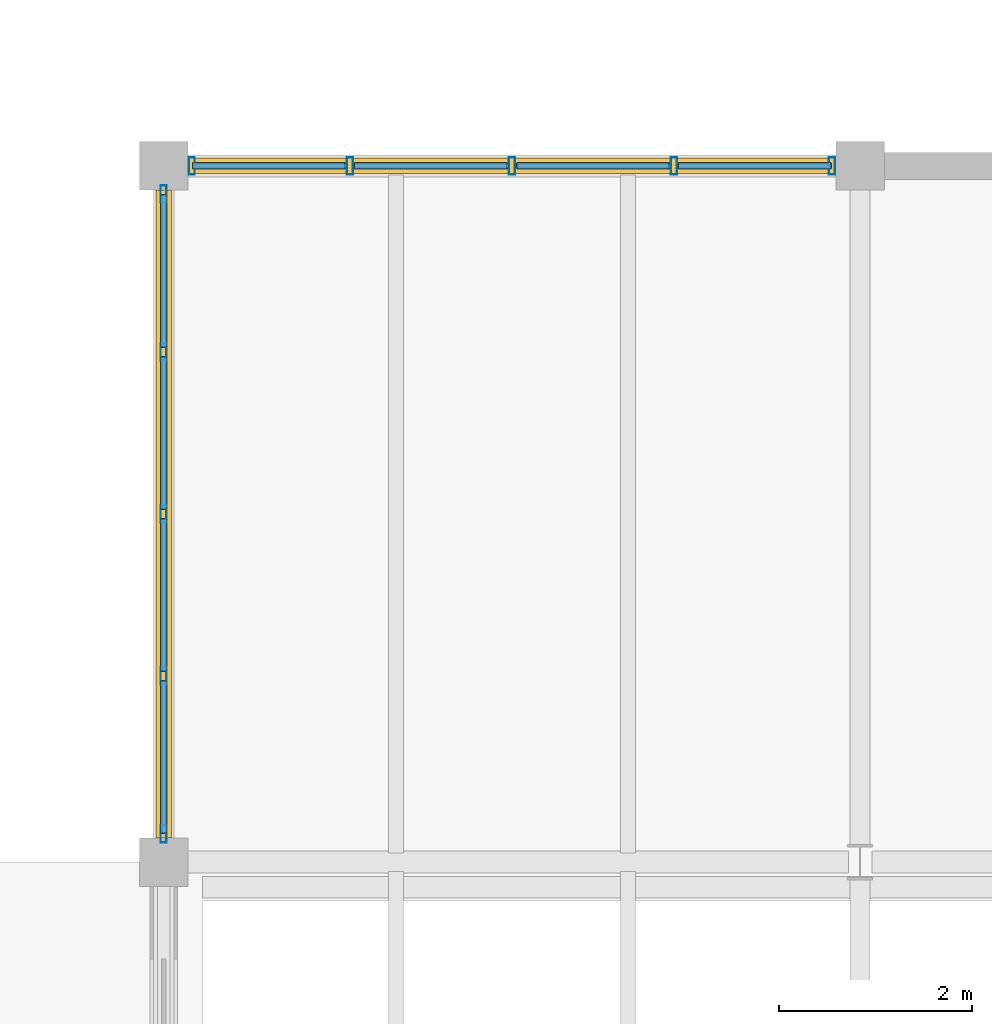
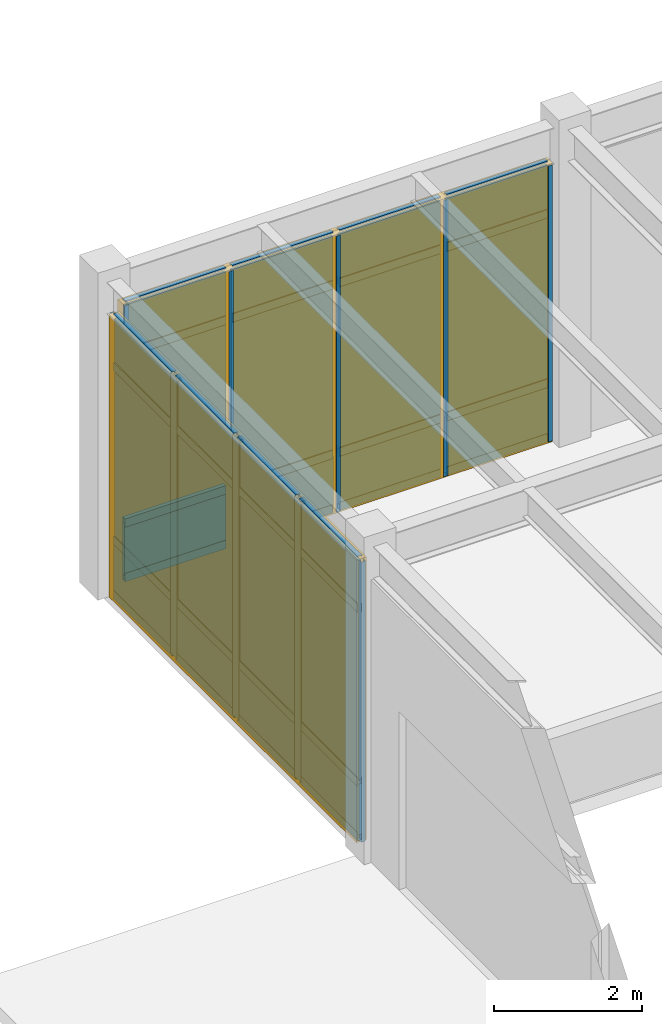
# One storey, part 67 of 97: 42 members, 16 plates, 2 curtain walls.
"""IFC4 building model written with IfcOpenShell, lengths in metres."""

from ifc_helpers import new_model, si_unit, direction, frame, origin, origin_2d, place, context, subcontext, project, spatial, rectangle, hollow_rectangle, extrude, material, layer, layer_set, material_profile, profile_set, type_object, element, aggregate, save


model = new_model("IFC4")

# Units and contexts
model_context = context("Model", 3, precision=1e-05, world=origin(), true_north=direction((0.0, 1.0)))
body_context = subcontext(model_context, "Body", "Model", "MODEL_VIEW")
ifc_project = project(units=[si_unit("LENGTHUNIT", "METRE"), si_unit("AREAUNIT", "SQUARE_METRE"), si_unit("VOLUMEUNIT", "CUBIC_METRE"), si_unit("PLANEANGLEUNIT", "RADIAN"), si_unit("MASSUNIT", "GRAM", prefix="KILO")], contexts=[model_context])

# Member
ifc_material_1 = material(Name="Anodized Aluminium 6063-T6", Category="aluminium")
ifc_material_profile_1 = material_profile(ifc_material_1, hollow_rectangle(XDim=0.06494140625, YDim=0.179931640625, WallThickness=0.00390625, at=origin_2d()), Name="ALU 65x180x4")
ifc_profile_set_1 = profile_set([ifc_material_profile_1], Name="Anodized Aluminium 6063-T6")
member_type_1 = type_object("IfcMemberType", Name="CWM-65X150", PredefinedType="MULLION", material=ifc_profile_set_1)
site_placement = place(None, origin())
building_placement = place(site_placement, origin())
storey_placement = place(building_placement, origin())
member_1_placement = place(storey_placement, frame((7.489990234375, 115.199951171875, 0.02001953125), z_axis=(0.0, 0.0, 1.0), x_axis=(1.0, 0.0, 0.0)))
member_1 = element("IfcMember", 1, at=member_1_placement, type_object=member_type_1, Name="Curtain wall mullion CW-L01-01-15-N-00", PredefinedType="MULLION", context=body_context, shape_type="SweptSolid", body=[
    extrude(hollow_rectangle(XDim=0.06494140625, YDim=0.179931640625, WallThickness=0.00390625, at=origin_2d()), origin(), (0.0, 0.0, 1.0), 4.557861328125),
])

member_2_placement = place(storey_placement, frame((9.125, 115.199951171875, 0.02001953125), z_axis=(0.0, 0.0, 1.0), x_axis=(1.0, 0.0, 0.0)))
member_2 = element("IfcMember", 2, at=member_2_placement, type_object=member_type_1, Name="Curtain wall mullion CW-L01-01-15-N-01", PredefinedType="MULLION", context=body_context, shape_type="SweptSolid", body=[
    extrude(hollow_rectangle(XDim=0.06494140625, YDim=0.179931640625, WallThickness=0.00390625, at=origin_2d()), origin(), (0.0, 0.0, 1.0), 4.557861328125),
])

member_3_placement = place(storey_placement, frame((10.800048828125, 115.199951171875, 0.02001953125), z_axis=(0.0, 0.0, 1.0), x_axis=(1.0, 0.0, 0.0)))
member_3 = element("IfcMember", 3, at=member_3_placement, type_object=member_type_1, Name="Curtain wall mullion CW-L01-01-15-N-02", PredefinedType="MULLION", context=body_context, shape_type="SweptSolid", body=[
    extrude(hollow_rectangle(XDim=0.06494140625, YDim=0.179931640625, WallThickness=0.00390625, at=origin_2d()), origin(), (0.0, 0.0, 1.0), 4.557861328125),
])

member_4_placement = place(storey_placement, frame((12.47509765625, 115.199951171875, 0.02001953125), z_axis=(0.0, 0.0, 1.0), x_axis=(1.0, 0.0, 0.0)))
member_4 = element("IfcMember", 4, at=member_4_placement, type_object=member_type_1, Name="Curtain wall mullion CW-L01-01-15-N-03", PredefinedType="MULLION", context=body_context, shape_type="SweptSolid", body=[
    extrude(hollow_rectangle(XDim=0.06494140625, YDim=0.179931640625, WallThickness=0.00390625, at=origin_2d()), origin(), (0.0, 0.0, 1.0), 4.557861328125),
])

member_5_placement = place(storey_placement, frame((14.110107421875, 115.199951171875, 0.02001953125), z_axis=(0.0, 0.0, 1.0), x_axis=(1.0, 0.0, 0.0)))
member_5 = element("IfcMember", 5, at=member_5_placement, type_object=member_type_1, Name="Curtain wall mullion CW-L01-01-15-N-04", PredefinedType="MULLION", context=body_context, shape_type="SweptSolid", body=[
    extrude(hollow_rectangle(XDim=0.06494140625, YDim=0.179931640625, WallThickness=0.00390625, at=origin_2d()), origin(), (0.0, 0.0, 1.0), 4.557861328125),
])

member_6_placement = place(storey_placement, frame((7.199951171875, 108.2900390625, 0.02001953125), z_axis=(0.0, 0.0, 1.0), x_axis=(1.0, 0.0, 0.0)))
member_6 = element("IfcMember", 6, at=member_6_placement, type_object=member_type_1, Name="Curtain wall mullion CW-L01-01-15-W-00", PredefinedType="MULLION", context=body_context, shape_type="SweptSolid", body=[
    extrude(hollow_rectangle(XDim=0.06494140625, YDim=0.179931640625, WallThickness=0.00390625, at=origin_2d()), origin(), (0.0, 0.0, 1.0), 4.626953125),
])

member_7_placement = place(storey_placement, frame((7.199951171875, 109.925048828125, 0.02001953125), z_axis=(0.0, 0.0, 1.0), x_axis=(1.0, 0.0, 0.0)))
member_7 = element("IfcMember", 7, at=member_7_placement, type_object=member_type_1, Name="Curtain wall mullion CW-L01-01-15-W-01", PredefinedType="MULLION", context=body_context, shape_type="SweptSolid", body=[
    extrude(hollow_rectangle(XDim=0.06494140625, YDim=0.179931640625, WallThickness=0.00390625, at=origin_2d()), origin(), (0.0, 0.0, 1.0), 4.626953125),
])

member_8_placement = place(storey_placement, frame((7.199951171875, 111.60009765625, 0.02001953125), z_axis=(0.0, 0.0, 1.0), x_axis=(1.0, 0.0, 0.0)))
member_8 = element("IfcMember", 8, at=member_8_placement, type_object=member_type_1, Name="Curtain wall mullion CW-L01-01-15-W-02", PredefinedType="MULLION", context=body_context, shape_type="SweptSolid", body=[
    extrude(hollow_rectangle(XDim=0.06494140625, YDim=0.179931640625, WallThickness=0.00390625, at=origin_2d()), origin(), (0.0, 0.0, 1.0), 4.626953125),
])

member_9_placement = place(storey_placement, frame((7.199951171875, 113.27490234375, 0.02001953125), z_axis=(0.0, 0.0, 1.0), x_axis=(1.0, 0.0, 0.0)))
member_9 = element("IfcMember", 9, at=member_9_placement, type_object=member_type_1, Name="Curtain wall mullion CW-L01-01-15-W-03", PredefinedType="MULLION", context=body_context, shape_type="SweptSolid", body=[
    extrude(hollow_rectangle(XDim=0.06494140625, YDim=0.179931640625, WallThickness=0.00390625, at=origin_2d()), origin(), (0.0, 0.0, 1.0), 4.626953125),
])

member_10_placement = place(storey_placement, frame((7.199951171875, 114.909912109375, 0.02001953125), z_axis=(0.0, 0.0, 1.0), x_axis=(1.0, 0.0, 0.0)))
member_10 = element("IfcMember", 10, at=member_10_placement, type_object=member_type_1, Name="Curtain wall mullion CW-L01-01-15-W-04", PredefinedType="MULLION", context=body_context, shape_type="SweptSolid", body=[
    extrude(hollow_rectangle(XDim=0.06494140625, YDim=0.179931640625, WallThickness=0.00390625, at=origin_2d()), origin(), (0.0, 0.0, 1.0), 4.626953125),
])

ifc_material_profile_2 = material_profile(ifc_material_1, hollow_rectangle(XDim=0.06494140625, YDim=0.139892578125, WallThickness=0.00390625, at=origin_2d()), Name="ALU 65x140x4")
ifc_profile_set_2 = profile_set([ifc_material_profile_2], Name="Anodized Aluminium 6063-T6")
member_type_2 = type_object("IfcMemberType", Name="CWT-65X120", PredefinedType="USERDEFINED", material=ifc_profile_set_2)
member_11_placement = place(storey_placement, frame((7.5, 115.199951171875, 0.050048828125), z_axis=(1.0, 0.0, 0.0), x_axis=(0.0, 1.0, 0.0)))
member_11 = element("IfcMember", 11, at=member_11_placement, type_object=member_type_2, Name="Curtain wall transom CW-L01-01-15-N-1.01", ObjectType="TRANSOM", PredefinedType="USERDEFINED", context=body_context, shape_type="SweptSolid", body=[
    extrude(hollow_rectangle(XDim=0.06494140625, YDim=0.139892578125, WallThickness=0.00390625, at=origin_2d()), origin(), (0.0, 0.0, 1.0), 1.574951171875),
])

member_12_placement = place(storey_placement, frame((9.175048828125, 115.199951171875, 0.050048828125), z_axis=(1.0, 0.0, 0.0), x_axis=(0.0, 1.0, 0.0)))
member_12 = element("IfcMember", 12, at=member_12_placement, type_object=member_type_2, Name="Curtain wall transom CW-L01-01-15-N-1.02", ObjectType="TRANSOM", PredefinedType="USERDEFINED", context=body_context, shape_type="SweptSolid", body=[
    extrude(hollow_rectangle(XDim=0.06494140625, YDim=0.139892578125, WallThickness=0.00390625, at=origin_2d()), origin(), (0.0, 0.0, 1.0), 1.574951171875),
])

member_13_placement = place(storey_placement, frame((10.85009765625, 115.199951171875, 0.050048828125), z_axis=(1.0, 0.0, 0.0), x_axis=(0.0, 1.0, 0.0)))
member_13 = element("IfcMember", 13, at=member_13_placement, type_object=member_type_2, Name="Curtain wall transom CW-L01-01-15-N-1.03", ObjectType="TRANSOM", PredefinedType="USERDEFINED", context=body_context, shape_type="SweptSolid", body=[
    extrude(hollow_rectangle(XDim=0.06494140625, YDim=0.139892578125, WallThickness=0.00390625, at=origin_2d()), origin(), (0.0, 0.0, 1.0), 1.574951171875),
])

member_14_placement = place(storey_placement, frame((12.52490234375, 115.199951171875, 0.050048828125), z_axis=(1.0, 0.0, 0.0), x_axis=(0.0, 1.0, 0.0)))
member_14 = element("IfcMember", 14, at=member_14_placement, type_object=member_type_2, Name="Curtain wall transom CW-L01-01-15-N-1.04", ObjectType="TRANSOM", PredefinedType="USERDEFINED", context=body_context, shape_type="SweptSolid", body=[
    extrude(hollow_rectangle(XDim=0.06494140625, YDim=0.139892578125, WallThickness=0.00390625, at=origin_2d()), origin(), (0.0, 0.0, 1.0), 1.5751953125),
])

member_15_placement = place(storey_placement, frame((7.5, 115.199951171875, 0.949951171875), z_axis=(1.0, 0.0, 0.0), x_axis=(0.0, 1.0, 0.0)))
member_15 = element("IfcMember", 15, at=member_15_placement, type_object=member_type_2, Name="Curtain wall transom CW-L01-01-15-N-2.01", ObjectType="TRANSOM", PredefinedType="USERDEFINED", context=body_context, shape_type="SweptSolid", body=[
    extrude(hollow_rectangle(XDim=0.06494140625, YDim=0.139892578125, WallThickness=0.00390625, at=origin_2d()), origin(), (0.0, 0.0, 1.0), 1.574951171875),
])

member_16_placement = place(storey_placement, frame((9.175048828125, 115.199951171875, 0.949951171875), z_axis=(1.0, 0.0, 0.0), x_axis=(0.0, 1.0, 0.0)))
member_16 = element("IfcMember", 16, at=member_16_placement, type_object=member_type_2, Name="Curtain wall transom CW-L01-01-15-N-2.02", ObjectType="TRANSOM", PredefinedType="USERDEFINED", context=body_context, shape_type="SweptSolid", body=[
    extrude(hollow_rectangle(XDim=0.06494140625, YDim=0.139892578125, WallThickness=0.00390625, at=origin_2d()), origin(), (0.0, 0.0, 1.0), 1.574951171875),
])

member_17_placement = place(storey_placement, frame((10.85009765625, 115.199951171875, 0.949951171875), z_axis=(1.0, 0.0, 0.0), x_axis=(0.0, 1.0, 0.0)))
member_17 = element("IfcMember", 17, at=member_17_placement, type_object=member_type_2, Name="Curtain wall transom CW-L01-01-15-N-2.03", ObjectType="TRANSOM", PredefinedType="USERDEFINED", context=body_context, shape_type="SweptSolid", body=[
    extrude(hollow_rectangle(XDim=0.06494140625, YDim=0.139892578125, WallThickness=0.00390625, at=origin_2d()), origin(), (0.0, 0.0, 1.0), 1.574951171875),
])

member_18_placement = place(storey_placement, frame((12.52490234375, 115.199951171875, 0.949951171875), z_axis=(1.0, 0.0, 0.0), x_axis=(0.0, 1.0, 0.0)))
member_18 = element("IfcMember", 18, at=member_18_placement, type_object=member_type_2, Name="Curtain wall transom CW-L01-01-15-N-2.04", ObjectType="TRANSOM", PredefinedType="USERDEFINED", context=body_context, shape_type="SweptSolid", body=[
    extrude(hollow_rectangle(XDim=0.06494140625, YDim=0.139892578125, WallThickness=0.00390625, at=origin_2d()), origin(), (0.0, 0.0, 1.0), 1.5751953125),
])

member_19_placement = place(storey_placement, frame((7.5, 115.199951171875, 3.748046875), z_axis=(1.0, 0.0, 0.0), x_axis=(0.0, 1.0, 0.0)))
member_19 = element("IfcMember", 19, at=member_19_placement, type_object=member_type_2, Name="Curtain wall transom CW-L01-01-15-N-3.01", ObjectType="TRANSOM", PredefinedType="USERDEFINED", context=body_context, shape_type="SweptSolid", body=[
    extrude(hollow_rectangle(XDim=0.06494140625, YDim=0.139892578125, WallThickness=0.00390625, at=origin_2d()), origin(), (0.0, 0.0, 1.0), 1.574951171875),
])

member_20_placement = place(storey_placement, frame((9.175048828125, 115.199951171875, 3.748046875), z_axis=(1.0, 0.0, 0.0), x_axis=(0.0, 1.0, 0.0)))
member_20 = element("IfcMember", 20, at=member_20_placement, type_object=member_type_2, Name="Curtain wall transom CW-L01-01-15-N-3.02", ObjectType="TRANSOM", PredefinedType="USERDEFINED", context=body_context, shape_type="SweptSolid", body=[
    extrude(hollow_rectangle(XDim=0.06494140625, YDim=0.139892578125, WallThickness=0.00390625, at=origin_2d()), origin(), (0.0, 0.0, 1.0), 1.574951171875),
])

member_21_placement = place(storey_placement, frame((10.85009765625, 115.199951171875, 3.748046875), z_axis=(1.0, 0.0, 0.0), x_axis=(0.0, 1.0, 0.0)))
member_21 = element("IfcMember", 21, at=member_21_placement, type_object=member_type_2, Name="Curtain wall transom CW-L01-01-15-N-3.03", ObjectType="TRANSOM", PredefinedType="USERDEFINED", context=body_context, shape_type="SweptSolid", body=[
    extrude(hollow_rectangle(XDim=0.06494140625, YDim=0.139892578125, WallThickness=0.00390625, at=origin_2d()), origin(), (0.0, 0.0, 1.0), 1.574951171875),
])

member_22_placement = place(storey_placement, frame((12.52490234375, 115.199951171875, 3.748046875), z_axis=(1.0, 0.0, 0.0), x_axis=(0.0, 1.0, 0.0)))
member_22 = element("IfcMember", 22, at=member_22_placement, type_object=member_type_2, Name="Curtain wall transom CW-L01-01-15-N-3.04", ObjectType="TRANSOM", PredefinedType="USERDEFINED", context=body_context, shape_type="SweptSolid", body=[
    extrude(hollow_rectangle(XDim=0.06494140625, YDim=0.139892578125, WallThickness=0.00390625, at=origin_2d()), origin(), (0.0, 0.0, 1.0), 1.5751953125),
])

member_23_placement = place(storey_placement, frame((7.5, 115.199951171875, 4.548095703125), z_axis=(1.0, 0.0, 0.0), x_axis=(0.0, 1.0, 0.0)))
member_23 = element("IfcMember", 23, at=member_23_placement, type_object=member_type_2, Name="Curtain wall transom CW-L01-01-15-N-4.01", ObjectType="TRANSOM", PredefinedType="USERDEFINED", context=body_context, shape_type="SweptSolid", body=[
    extrude(hollow_rectangle(XDim=0.06494140625, YDim=0.139892578125, WallThickness=0.00390625, at=origin_2d()), origin(), (0.0, 0.0, 1.0), 1.574951171875),
])

member_24_placement = place(storey_placement, frame((9.175048828125, 115.199951171875, 4.548095703125), z_axis=(1.0, 0.0, 0.0), x_axis=(0.0, 1.0, 0.0)))
member_24 = element("IfcMember", 24, at=member_24_placement, type_object=member_type_2, Name="Curtain wall transom CW-L01-01-15-N-4.02", ObjectType="TRANSOM", PredefinedType="USERDEFINED", context=body_context, shape_type="SweptSolid", body=[
    extrude(hollow_rectangle(XDim=0.06494140625, YDim=0.139892578125, WallThickness=0.00390625, at=origin_2d()), origin(), (0.0, 0.0, 1.0), 1.574951171875),
])

member_25_placement = place(storey_placement, frame((10.85009765625, 115.199951171875, 4.548095703125), z_axis=(1.0, 0.0, 0.0), x_axis=(0.0, 1.0, 0.0)))
member_25 = element("IfcMember", 25, at=member_25_placement, type_object=member_type_2, Name="Curtain wall transom CW-L01-01-15-N-4.03", ObjectType="TRANSOM", PredefinedType="USERDEFINED", context=body_context, shape_type="SweptSolid", body=[
    extrude(hollow_rectangle(XDim=0.06494140625, YDim=0.139892578125, WallThickness=0.00390625, at=origin_2d()), origin(), (0.0, 0.0, 1.0), 1.574951171875),
])

member_26_placement = place(storey_placement, frame((12.52490234375, 115.199951171875, 4.548095703125), z_axis=(1.0, 0.0, 0.0), x_axis=(0.0, 1.0, 0.0)))
member_26 = element("IfcMember", 26, at=member_26_placement, type_object=member_type_2, Name="Curtain wall transom CW-L01-01-15-N-4.04", ObjectType="TRANSOM", PredefinedType="USERDEFINED", context=body_context, shape_type="SweptSolid", body=[
    extrude(hollow_rectangle(XDim=0.06494140625, YDim=0.139892578125, WallThickness=0.00390625, at=origin_2d()), origin(), (0.0, 0.0, 1.0), 1.5751953125),
])

member_27_placement = place(storey_placement, frame((7.199951171875, 108.300048828125, 0.050048828125), z_axis=(0.0, 1.0, 0.0), x_axis=(-1.0, 0.0, 0.0)))
member_27 = element("IfcMember", 27, at=member_27_placement, type_object=member_type_2, Name="Curtain wall transom CW-L01-01-15-W-1.01", ObjectType="TRANSOM", PredefinedType="USERDEFINED", context=body_context, shape_type="SweptSolid", body=[
    extrude(hollow_rectangle(XDim=0.06494140625, YDim=0.139892578125, WallThickness=0.00390625, at=origin_2d()), origin(), (0.0, 0.0, 1.0), 1.574951171875),
])

member_28_placement = place(storey_placement, frame((7.199951171875, 109.97509765625, 0.050048828125), z_axis=(0.0, 1.0, 0.0), x_axis=(-1.0, 0.0, 0.0)))
member_28 = element("IfcMember", 28, at=member_28_placement, type_object=member_type_2, Name="Curtain wall transom CW-L01-01-15-W-1.02", ObjectType="TRANSOM", PredefinedType="USERDEFINED", context=body_context, shape_type="SweptSolid", body=[
    extrude(hollow_rectangle(XDim=0.06494140625, YDim=0.139892578125, WallThickness=0.00390625, at=origin_2d()), origin(), (0.0, 0.0, 1.0), 1.574951171875),
])

member_29_placement = place(storey_placement, frame((7.199951171875, 111.64990234375, 0.050048828125), z_axis=(0.0, 1.0, 0.0), x_axis=(-1.0, 0.0, 0.0)))
member_29 = element("IfcMember", 29, at=member_29_placement, type_object=member_type_2, Name="Curtain wall transom CW-L01-01-15-W-1.03", ObjectType="TRANSOM", PredefinedType="USERDEFINED", context=body_context, shape_type="SweptSolid", body=[
    extrude(hollow_rectangle(XDim=0.06494140625, YDim=0.139892578125, WallThickness=0.00390625, at=origin_2d()), origin(), (0.0, 0.0, 1.0), 1.5751953125),
])

member_30_placement = place(storey_placement, frame((7.199951171875, 113.324951171875, 0.050048828125), z_axis=(0.0, 1.0, 0.0), x_axis=(-1.0, 0.0, 0.0)))
member_30 = element("IfcMember", 30, at=member_30_placement, type_object=member_type_2, Name="Curtain wall transom CW-L01-01-15-W-1.04", ObjectType="TRANSOM", PredefinedType="USERDEFINED", context=body_context, shape_type="SweptSolid", body=[
    extrude(hollow_rectangle(XDim=0.06494140625, YDim=0.139892578125, WallThickness=0.00390625, at=origin_2d()), origin(), (0.0, 0.0, 1.0), 1.574951171875),
])

member_31_placement = place(storey_placement, frame((7.199951171875, 108.300048828125, 0.949951171875), z_axis=(0.0, 1.0, 0.0), x_axis=(-1.0, 0.0, 0.0)))
member_31 = element("IfcMember", 31, at=member_31_placement, type_object=member_type_2, Name="Curtain wall transom CW-L01-01-15-W-2.01", ObjectType="TRANSOM", PredefinedType="USERDEFINED", context=body_context, shape_type="SweptSolid", body=[
    extrude(hollow_rectangle(XDim=0.06494140625, YDim=0.139892578125, WallThickness=0.00390625, at=origin_2d()), origin(), (0.0, 0.0, 1.0), 1.574951171875),
])

member_32_placement = place(storey_placement, frame((7.199951171875, 109.97509765625, 0.949951171875), z_axis=(0.0, 1.0, 0.0), x_axis=(-1.0, 0.0, 0.0)))
member_32 = element("IfcMember", 32, at=member_32_placement, type_object=member_type_2, Name="Curtain wall transom CW-L01-01-15-W-2.02", ObjectType="TRANSOM", PredefinedType="USERDEFINED", context=body_context, shape_type="SweptSolid", body=[
    extrude(hollow_rectangle(XDim=0.06494140625, YDim=0.139892578125, WallThickness=0.00390625, at=origin_2d()), origin(), (0.0, 0.0, 1.0), 1.574951171875),
])

member_33_placement = place(storey_placement, frame((7.199951171875, 111.64990234375, 0.949951171875), z_axis=(0.0, 1.0, 0.0), x_axis=(-1.0, 0.0, 0.0)))
member_33 = element("IfcMember", 33, at=member_33_placement, type_object=member_type_2, Name="Curtain wall transom CW-L01-01-15-W-2.03", ObjectType="TRANSOM", PredefinedType="USERDEFINED", context=body_context, shape_type="SweptSolid", body=[
    extrude(hollow_rectangle(XDim=0.06494140625, YDim=0.139892578125, WallThickness=0.00390625, at=origin_2d()), origin(), (0.0, 0.0, 1.0), 1.5751953125),
])

member_34_placement = place(storey_placement, frame((7.199951171875, 113.324951171875, 0.949951171875), z_axis=(0.0, 1.0, 0.0), x_axis=(-1.0, 0.0, 0.0)))
member_34 = element("IfcMember", 34, at=member_34_placement, type_object=member_type_2, Name="Curtain wall transom CW-L01-01-15-W-2.04", ObjectType="TRANSOM", PredefinedType="USERDEFINED", context=body_context, shape_type="SweptSolid", body=[
    extrude(hollow_rectangle(XDim=0.06494140625, YDim=0.139892578125, WallThickness=0.00390625, at=origin_2d()), origin(), (0.0, 0.0, 1.0), 1.574951171875),
])

member_35_placement = place(storey_placement, frame((7.199951171875, 108.300048828125, 3.81689453125), z_axis=(0.0, 1.0, 0.0), x_axis=(-1.0, 0.0, 0.0)))
member_35 = element("IfcMember", 35, at=member_35_placement, type_object=member_type_2, Name="Curtain wall transom CW-L01-01-15-W-3.01", ObjectType="TRANSOM", PredefinedType="USERDEFINED", context=body_context, shape_type="SweptSolid", body=[
    extrude(hollow_rectangle(XDim=0.06494140625, YDim=0.139892578125, WallThickness=0.00390625, at=origin_2d()), origin(), (0.0, 0.0, 1.0), 1.574951171875),
])

member_36_placement = place(storey_placement, frame((7.199951171875, 109.97509765625, 3.81689453125), z_axis=(0.0, 1.0, 0.0), x_axis=(-1.0, 0.0, 0.0)))
member_36 = element("IfcMember", 36, at=member_36_placement, type_object=member_type_2, Name="Curtain wall transom CW-L01-01-15-W-3.02", ObjectType="TRANSOM", PredefinedType="USERDEFINED", context=body_context, shape_type="SweptSolid", body=[
    extrude(hollow_rectangle(XDim=0.06494140625, YDim=0.139892578125, WallThickness=0.00390625, at=origin_2d()), origin(), (0.0, 0.0, 1.0), 1.574951171875),
])

member_37_placement = place(storey_placement, frame((7.199951171875, 111.64990234375, 3.81689453125), z_axis=(0.0, 1.0, 0.0), x_axis=(-1.0, 0.0, 0.0)))
member_37 = element("IfcMember", 37, at=member_37_placement, type_object=member_type_2, Name="Curtain wall transom CW-L01-01-15-W-3.03", ObjectType="TRANSOM", PredefinedType="USERDEFINED", context=body_context, shape_type="SweptSolid", body=[
    extrude(hollow_rectangle(XDim=0.06494140625, YDim=0.139892578125, WallThickness=0.00390625, at=origin_2d()), origin(), (0.0, 0.0, 1.0), 1.5751953125),
])

member_38_placement = place(storey_placement, frame((7.199951171875, 113.324951171875, 3.81689453125), z_axis=(0.0, 1.0, 0.0), x_axis=(-1.0, 0.0, 0.0)))
member_38 = element("IfcMember", 38, at=member_38_placement, type_object=member_type_2, Name="Curtain wall transom CW-L01-01-15-W-3.04", ObjectType="TRANSOM", PredefinedType="USERDEFINED", context=body_context, shape_type="SweptSolid", body=[
    extrude(hollow_rectangle(XDim=0.06494140625, YDim=0.139892578125, WallThickness=0.00390625, at=origin_2d()), origin(), (0.0, 0.0, 1.0), 1.574951171875),
])

member_39_placement = place(storey_placement, frame((7.199951171875, 108.300048828125, 4.616943359375), z_axis=(0.0, 1.0, 0.0), x_axis=(-1.0, 0.0, 0.0)))
member_39 = element("IfcMember", 39, at=member_39_placement, type_object=member_type_2, Name="Curtain wall transom CW-L01-01-15-W-4.01", ObjectType="TRANSOM", PredefinedType="USERDEFINED", context=body_context, shape_type="SweptSolid", body=[
    extrude(hollow_rectangle(XDim=0.06494140625, YDim=0.139892578125, WallThickness=0.00390625, at=origin_2d()), origin(), (0.0, 0.0, 1.0), 1.574951171875),
])

member_40_placement = place(storey_placement, frame((7.199951171875, 109.97509765625, 4.616943359375), z_axis=(0.0, 1.0, 0.0), x_axis=(-1.0, 0.0, 0.0)))
member_40 = element("IfcMember", 40, at=member_40_placement, type_object=member_type_2, Name="Curtain wall transom CW-L01-01-15-W-4.02", ObjectType="TRANSOM", PredefinedType="USERDEFINED", context=body_context, shape_type="SweptSolid", body=[
    extrude(hollow_rectangle(XDim=0.06494140625, YDim=0.139892578125, WallThickness=0.00390625, at=origin_2d()), origin(), (0.0, 0.0, 1.0), 1.574951171875),
])

member_41_placement = place(storey_placement, frame((7.199951171875, 111.64990234375, 4.616943359375), z_axis=(0.0, 1.0, 0.0), x_axis=(-1.0, 0.0, 0.0)))
member_41 = element("IfcMember", 41, at=member_41_placement, type_object=member_type_2, Name="Curtain wall transom CW-L01-01-15-W-4.03", ObjectType="TRANSOM", PredefinedType="USERDEFINED", context=body_context, shape_type="SweptSolid", body=[
    extrude(hollow_rectangle(XDim=0.06494140625, YDim=0.139892578125, WallThickness=0.00390625, at=origin_2d()), origin(), (0.0, 0.0, 1.0), 1.5751953125),
])

member_42_placement = place(storey_placement, frame((7.199951171875, 113.324951171875, 4.616943359375), z_axis=(0.0, 1.0, 0.0), x_axis=(-1.0, 0.0, 0.0)))
member_42 = element("IfcMember", 42, at=member_42_placement, type_object=member_type_2, Name="Curtain wall transom CW-L01-01-15-W-4.04", ObjectType="TRANSOM", PredefinedType="USERDEFINED", context=body_context, shape_type="SweptSolid", body=[
    extrude(hollow_rectangle(XDim=0.06494140625, YDim=0.139892578125, WallThickness=0.00390625, at=origin_2d()), origin(), (0.0, 0.0, 1.0), 1.574951171875),
])

# Plate
ifc_material_2 = material(Name="Double Low-E Insulated Glazing Unit", Category="glass")
ifc_layer_1 = layer(ifc_material_2, 0.0380859375)
ifc_layer_set_1 = layer_set([ifc_layer_1], Name="Double Low-E Insulated Glazing Unit")
plate_type_1 = type_object("IfcPlateType", Name="CWP-IGU-38", PredefinedType="CURTAIN_PANEL", material=ifc_layer_set_1)
plate_1_placement = place(storey_placement, frame((8.28759765625, 115.199951171875, 0.98974609375), z_axis=(0.0, 0.0, 1.0), x_axis=(1.0, 0.0, 0.0)))
plate_1 = element("IfcPlate", 43, at=plate_1_placement, type_object=plate_type_1, Name="Curtain wall vision glazing CW-L01-01-15-N-01", PredefinedType="CURTAIN_PANEL", context=body_context, shape_type="SweptSolid", body=[
    extrude(rectangle(XDim=1.5849609375, YDim=0.0400390625, at=origin_2d()), origin(), (0.0, 0.0, 1.0), 3.548095703125),
])

plate_2_placement = place(storey_placement, frame((9.96240234375, 115.199951171875, 0.98974609375), z_axis=(0.0, 0.0, 1.0), x_axis=(1.0, 0.0, 0.0)))
plate_2 = element("IfcPlate", 44, at=plate_2_placement, type_object=plate_type_1, Name="Curtain wall vision glazing CW-L01-01-15-N-02", PredefinedType="CURTAIN_PANEL", context=body_context, shape_type="SweptSolid", body=[
    extrude(rectangle(XDim=1.5849609375, YDim=0.0400390625, at=origin_2d()), origin(), (0.0, 0.0, 1.0), 3.548095703125),
])

plate_3_placement = place(storey_placement, frame((11.637451171875, 115.199951171875, 0.98974609375), z_axis=(0.0, 0.0, 1.0), x_axis=(1.0, 0.0, 0.0)))
plate_3 = element("IfcPlate", 45, at=plate_3_placement, type_object=plate_type_1, Name="Curtain wall vision glazing CW-L01-01-15-N-03", PredefinedType="CURTAIN_PANEL", context=body_context, shape_type="SweptSolid", body=[
    extrude(rectangle(XDim=1.5849609375, YDim=0.0400390625, at=origin_2d()), origin(), (0.0, 0.0, 1.0), 3.548095703125),
])

plate_4_placement = place(storey_placement, frame((13.3125, 115.199951171875, 0.98974609375), z_axis=(0.0, 0.0, 1.0), x_axis=(1.0, 0.0, 0.0)))
plate_4 = element("IfcPlate", 46, at=plate_4_placement, type_object=plate_type_1, Name="Curtain wall vision glazing CW-L01-01-15-N-04", PredefinedType="CURTAIN_PANEL", context=body_context, shape_type="SweptSolid", body=[
    extrude(rectangle(XDim=1.5849609375, YDim=0.0400390625, at=origin_2d()), origin(), (0.0, 0.0, 1.0), 3.548095703125),
])

plate_5_placement = place(storey_placement, frame((7.199951171875, 109.08740234375, 0.990234375), z_axis=(0.0, 0.0, 1.0), x_axis=(0.0, 1.0, 0.0)))
plate_5 = element("IfcPlate", 47, at=plate_5_placement, type_object=plate_type_1, Name="Curtain wall vision glazing CW-L01-01-15-W-01", PredefinedType="CURTAIN_PANEL", context=body_context, shape_type="SweptSolid", body=[
    extrude(rectangle(XDim=1.5849609375, YDim=0.0400390625, at=origin_2d()), origin(), (0.0, 0.0, 1.0), 3.616943359375),
])

plate_6_placement = place(storey_placement, frame((7.199951171875, 110.762451171875, 0.990234375), z_axis=(0.0, 0.0, 1.0), x_axis=(0.0, 1.0, 0.0)))
plate_6 = element("IfcPlate", 48, at=plate_6_placement, type_object=plate_type_1, Name="Curtain wall vision glazing CW-L01-01-15-W-02", PredefinedType="CURTAIN_PANEL", context=body_context, shape_type="SweptSolid", body=[
    extrude(rectangle(XDim=1.5849609375, YDim=0.0400390625, at=origin_2d()), origin(), (0.0, 0.0, 1.0), 3.616943359375),
])

plate_7_placement = place(storey_placement, frame((7.199951171875, 112.4375, 0.990234375), z_axis=(0.0, 0.0, 1.0), x_axis=(0.0, 1.0, 0.0)))
plate_7 = element("IfcPlate", 49, at=plate_7_placement, type_object=plate_type_1, Name="Curtain wall vision glazing CW-L01-01-15-W-03", PredefinedType="CURTAIN_PANEL", context=body_context, shape_type="SweptSolid", body=[
    extrude(rectangle(XDim=1.5849609375, YDim=0.0400390625, at=origin_2d()), origin(), (0.0, 0.0, 1.0), 3.616943359375),
])

plate_8_placement = place(storey_placement, frame((7.199951171875, 114.112548828125, 0.990234375), z_axis=(0.0, 0.0, 1.0), x_axis=(0.0, 1.0, 0.0)))
plate_8 = element("IfcPlate", 50, at=plate_8_placement, type_object=plate_type_1, Name="Curtain wall vision glazing CW-L01-01-15-W-04", PredefinedType="CURTAIN_PANEL", context=body_context, shape_type="SweptSolid", body=[
    extrude(rectangle(XDim=1.5849609375, YDim=0.0400390625, at=origin_2d()), origin(), (0.0, 0.0, 1.0), 3.616943359375),
])

ifc_material_3 = material(Name="Insulated Bronze Aluminium Spandrel", Category="aluminium")
ifc_layer_2 = layer(ifc_material_3, 0.06005859375)
ifc_layer_set_2 = layer_set([ifc_layer_2], Name="Insulated Bronze Aluminium Spandrel")
plate_type_2 = type_object("IfcPlateType", Name="CWP-SPN-60", PredefinedType="CURTAIN_PANEL", material=ifc_layer_set_2)
plate_9_placement = place(storey_placement, frame((8.28759765625, 115.199951171875, 0.080078125), z_axis=(0.0, 0.0, 1.0), x_axis=(1.0, 0.0, 0.0)))
plate_9 = element("IfcPlate", 51, at=plate_9_placement, type_object=plate_type_2, Name="Curtain wall spandrel panel CW-L01-01-15-N-01", PredefinedType="CURTAIN_PANEL", context=body_context, shape_type="SweptSolid", body=[
    extrude(rectangle(XDim=1.5849609375, YDim=0.06005859375, at=origin_2d()), origin(), (0.0, 0.0, 1.0), 0.840087890625),
])

plate_10_placement = place(storey_placement, frame((9.96240234375, 115.199951171875, 0.080078125), z_axis=(0.0, 0.0, 1.0), x_axis=(1.0, 0.0, 0.0)))
plate_10 = element("IfcPlate", 52, at=plate_10_placement, type_object=plate_type_2, Name="Curtain wall spandrel panel CW-L01-01-15-N-02", PredefinedType="CURTAIN_PANEL", context=body_context, shape_type="SweptSolid", body=[
    extrude(rectangle(XDim=1.5849609375, YDim=0.06005859375, at=origin_2d()), origin(), (0.0, 0.0, 1.0), 0.840087890625),
])

plate_11_placement = place(storey_placement, frame((11.637451171875, 115.199951171875, 0.080078125), z_axis=(0.0, 0.0, 1.0), x_axis=(1.0, 0.0, 0.0)))
plate_11 = element("IfcPlate", 53, at=plate_11_placement, type_object=plate_type_2, Name="Curtain wall spandrel panel CW-L01-01-15-N-03", PredefinedType="CURTAIN_PANEL", context=body_context, shape_type="SweptSolid", body=[
    extrude(rectangle(XDim=1.5849609375, YDim=0.06005859375, at=origin_2d()), origin(), (0.0, 0.0, 1.0), 0.840087890625),
])

plate_12_placement = place(storey_placement, frame((13.3125, 115.199951171875, 0.080078125), z_axis=(0.0, 0.0, 1.0), x_axis=(1.0, 0.0, 0.0)))
plate_12 = element("IfcPlate", 54, at=plate_12_placement, type_object=plate_type_2, Name="Curtain wall spandrel panel CW-L01-01-15-N-04", PredefinedType="CURTAIN_PANEL", context=body_context, shape_type="SweptSolid", body=[
    extrude(rectangle(XDim=1.5849609375, YDim=0.06005859375, at=origin_2d()), origin(), (0.0, 0.0, 1.0), 0.840087890625),
])

plate_13_placement = place(storey_placement, frame((7.199951171875, 109.08740234375, 0.080078125), z_axis=(0.0, 0.0, 1.0), x_axis=(0.0, 1.0, 0.0)))
plate_13 = element("IfcPlate", 55, at=plate_13_placement, type_object=plate_type_2, Name="Curtain wall spandrel panel CW-L01-01-15-W-01", PredefinedType="CURTAIN_PANEL", context=body_context, shape_type="SweptSolid", body=[
    extrude(rectangle(XDim=1.5849609375, YDim=0.06005859375, at=origin_2d()), origin(), (0.0, 0.0, 1.0), 0.840087890625),
])

plate_14_placement = place(storey_placement, frame((7.199951171875, 110.762451171875, 0.080078125), z_axis=(0.0, 0.0, 1.0), x_axis=(0.0, 1.0, 0.0)))
plate_14 = element("IfcPlate", 56, at=plate_14_placement, type_object=plate_type_2, Name="Curtain wall spandrel panel CW-L01-01-15-W-02", PredefinedType="CURTAIN_PANEL", context=body_context, shape_type="SweptSolid", body=[
    extrude(rectangle(XDim=1.5849609375, YDim=0.06005859375, at=origin_2d()), origin(), (0.0, 0.0, 1.0), 0.840087890625),
])

plate_15_placement = place(storey_placement, frame((7.199951171875, 112.4375, 0.080078125), z_axis=(0.0, 0.0, 1.0), x_axis=(0.0, 1.0, 0.0)))
plate_15 = element("IfcPlate", 57, at=plate_15_placement, type_object=plate_type_2, Name="Curtain wall spandrel panel CW-L01-01-15-W-03", PredefinedType="CURTAIN_PANEL", context=body_context, shape_type="SweptSolid", body=[
    extrude(rectangle(XDim=1.5849609375, YDim=0.06005859375, at=origin_2d()), origin(), (0.0, 0.0, 1.0), 0.840087890625),
])

plate_16_placement = place(storey_placement, frame((7.199951171875, 114.112548828125, 0.080078125), z_axis=(0.0, 0.0, 1.0), x_axis=(0.0, 1.0, 0.0)))
plate_16 = element("IfcPlate", 58, at=plate_16_placement, type_object=plate_type_2, Name="Curtain wall spandrel panel CW-L01-01-15-W-04", PredefinedType="CURTAIN_PANEL", context=body_context, shape_type="SweptSolid", body=[
    extrude(rectangle(XDim=1.5849609375, YDim=0.06005859375, at=origin_2d()), origin(), (0.0, 0.0, 1.0), 0.840087890625),
])

# Site, building, storey
site = spatial("IfcSite", under=ifc_project, at=site_placement, CompositionType="ELEMENT")
building = spatial("IfcBuilding", under=site, at=building_placement, Name="Sillqori Civic Hall", CompositionType="ELEMENT")
storey = spatial("IfcBuildingStorey", under=building, at=storey_placement, Name="L01", CompositionType="ELEMENT", Elevation=0.0)

# Curtain wall
ifc_material_4 = material(Name="Anodized Aluminium Curtain Wall System", Category="aluminium")
curtain_wall_type = type_object("IfcCurtainWallType", Name="CW-SF-540", PredefinedType="NOTDEFINED", material=ifc_material_4)
curtain_wall_1_placement = place(storey_placement, frame((10.800048828125, 115.199951171875, 0.0), z_axis=(0.0, 0.0, 1.0), x_axis=(1.0, 0.0, 0.0)))
curtain_wall_1 = element("IfcCurtainWall", 59, at=curtain_wall_1_placement, inside=storey, type_object=curtain_wall_type, Name="L01 unitised curtain wall CW-L01-01-15-N", PredefinedType="NOTDEFINED", context=body_context, shape_type="SweptSolid", body=[
    extrude(rectangle(XDim=6.699951171875, YDim=0.159912109375, at=origin_2d()), origin(), (0.0, 0.0, 1.0), 4.597900390625),
])

aggregate(curtain_wall_1, [member_1, member_2, member_3, member_4, member_5, member_11, member_12, member_13, member_14, member_15, member_16, member_17, member_18, member_19, member_20, member_21, member_22, member_23, member_24, member_25, member_26, plate_9, plate_1, plate_10, plate_2, plate_11, plate_3, plate_12, plate_4])

curtain_wall_2_placement = place(storey_placement, frame((7.199951171875, 111.60009765625, 0.0), z_axis=(0.0, 0.0, 1.0), x_axis=(0.0, 1.0, 0.0)))
curtain_wall_2 = element("IfcCurtainWall", 60, at=curtain_wall_2_placement, inside=storey, type_object=curtain_wall_type, Name="L01 unitised curtain wall CW-L01-01-15-W", PredefinedType="NOTDEFINED", context=body_context, shape_type="SweptSolid", body=[
    extrude(rectangle(XDim=6.699951171875, YDim=0.159912109375, at=origin_2d()), origin(), (0.0, 0.0, 1.0), 4.6669921875),
])

aggregate(curtain_wall_2, [member_6, member_7, member_8, member_9, member_10, member_27, member_28, member_29, member_30, member_31, member_32, member_33, member_34, member_35, member_36, member_37, member_38, member_39, member_40, member_41, member_42, plate_13, plate_5, plate_14, plate_6, plate_15, plate_7, plate_16, plate_8])

save(model, "model.ifc")
